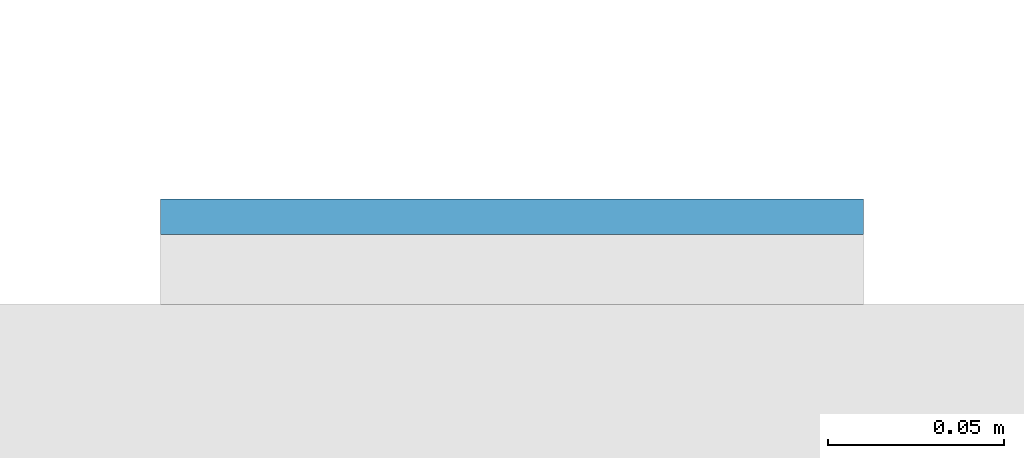
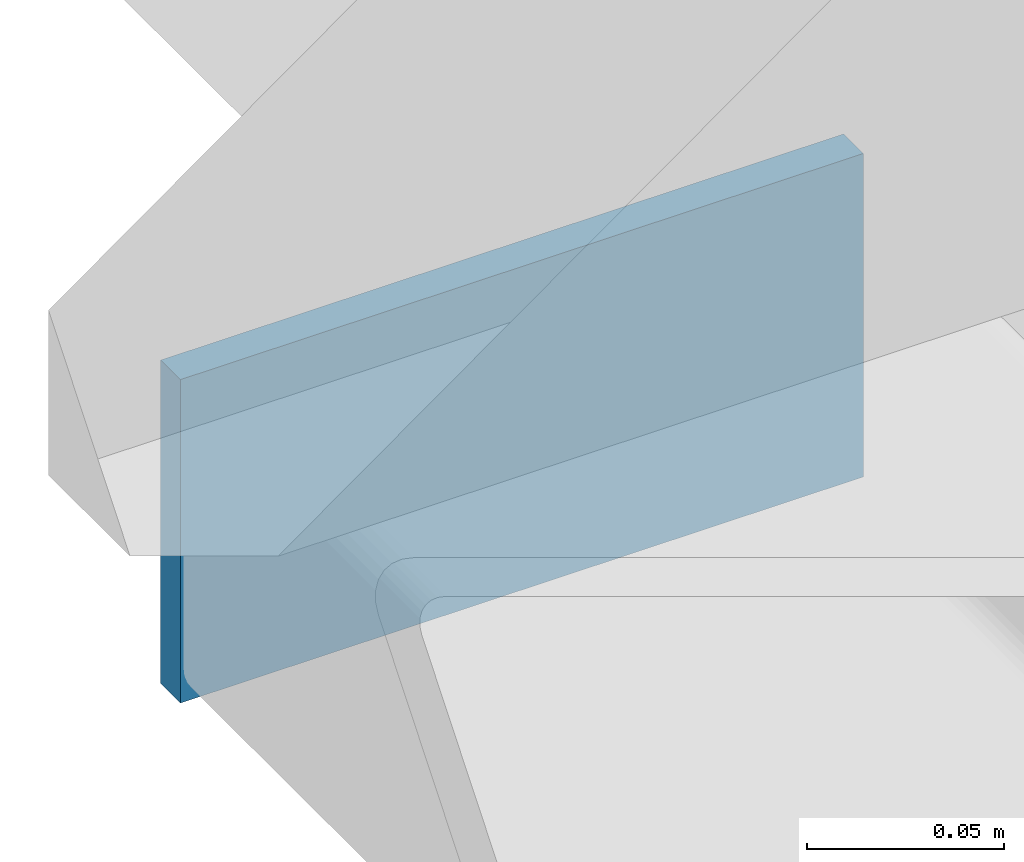
# One storey, part 9 of 21: 1 plate.
"""IFC4 building model written with IfcOpenShell, lengths in metres."""

from ifc_helpers import new_model, si_unit, direction, frame, origin, origin_2d, place, context, subcontext, project, spatial, rectangle, extrude, material, layer, layer_set, type_object, element, save


model = new_model("IFC4")

# Units and contexts
model_context = context("Model", 3, precision=1e-05, world=origin(), true_north=direction((0.0, 1.0)))
body_context = subcontext(model_context, "Body", "Model", "MODEL_VIEW")
ifc_project = project(units=[si_unit("LENGTHUNIT", "METRE"), si_unit("AREAUNIT", "SQUARE_METRE"), si_unit("VOLUMEUNIT", "CUBIC_METRE"), si_unit("PLANEANGLEUNIT", "RADIAN"), si_unit("MASSUNIT", "GRAM", prefix="KILO")], contexts=[model_context])

# Site, building, storey
site_placement = place(None, origin())
site = spatial("IfcSite", under=ifc_project, at=site_placement, CompositionType="ELEMENT")
building_placement = place(site_placement, origin())
building = spatial("IfcBuilding", under=site, at=building_placement, Name="Cleftline Residences", CompositionType="ELEMENT")
storey_placement = place(building_placement, frame((0.0, 0.0, 125.0)))
storey = spatial("IfcBuildingStorey", under=building, at=storey_placement, Name="L32", CompositionType="ELEMENT", Elevation=125.0)

# Plate
ifc_material = material(Name="Steel S355, hot-dip galvanised", Category="steel")
ifc_layer = layer(ifc_material, 0.010009765625)
ifc_layer_set = layer_set([ifc_layer], Name="BAGUETTE CARRIER END PLATE 200X100X10")
plate_type = type_object("IfcPlateType", Name="BAGUETTE CARRIER END PLATE 200X100X10", PredefinedType="USERDEFINED", material=ifc_layer_set)
plate_placement = place(storey_placement, frame((-0.85009765625, 44.304931640625, -0.10009765625), z_axis=(0.0, 0.0, 1.0), x_axis=(-1.0, 0.0, 0.0)))
element("IfcPlate", 1, at=plate_placement, inside=storey, type_object=plate_type, Name="Baguette carrier end plate", ObjectType="BAGUETTE CARRIER END PLATE", PredefinedType="USERDEFINED", context=body_context, shape_type="SweptSolid", body=[
    extrude(rectangle(XDim=0.199951171875, YDim=0.010009765625, at=origin_2d()), origin(), (0.0, 0.0, 1.0), 0.10009765625),
])

save(model, "model.ifc")
